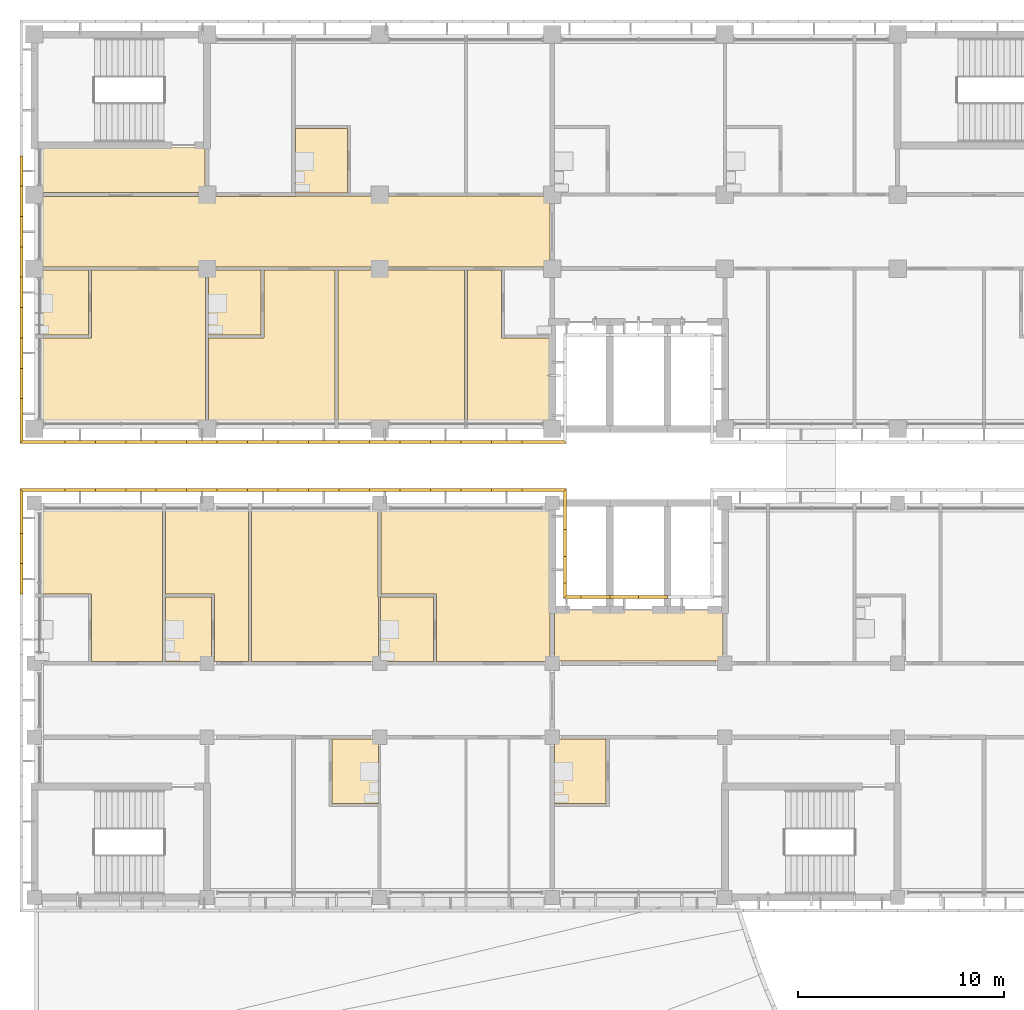
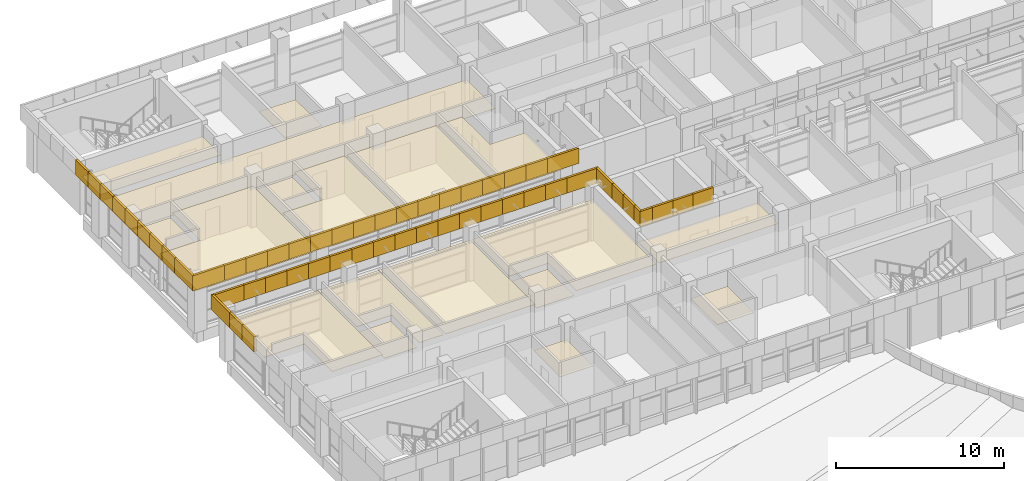
# One storey, part 64 of 74: 72 coverings.
"""IFC4 building model written with IfcOpenShell, lengths in metres."""

import ifcopenshell
import ifcopenshell.guid

model = None  # the IFC model being written
_history = None  # IfcOwnerHistory: only IFC2X3 demands one
_inside = {}  # id of a spatial element -> (the spatial element, [elements in it])
_under = {}  # id of a project, library or spatial element -> (it, [spatial elements below it])
_declared = {}  # id of a project -> (the project, [libraries it declares])
_typed = {}  # id of a type object -> (the type object, [elements of that type])
_made_of = {}  # id of a material, layer set ... -> (it, [elements and type objects made of it])


def new_model(schema):
    """Start an empty IFC model of exactly this schema.

    Asked for "IFC4X3", IfcOpenShell would pick the latest addendum, in which some entities
    have other attributes; the version numbers below select the first issue.
    IFC2X3 requires an IfcOwnerHistory on every rooted entity: one is made here for all.
    """
    global model, _history
    if schema == "IFC4X3":
        model = ifcopenshell.file(schema_version=(4, 3, 0, 0))
    else:
        model = ifcopenshell.file(schema=schema)
    _inside.clear()
    _under.clear()
    _declared.clear()
    _typed.clear()
    _made_of.clear()
    _history = None
    if model.schema == "IFC2X3":
        org = make("IfcOrganization", Name="unknown")
        user = make(
            "IfcPersonAndOrganization",
            ThePerson=make("IfcPerson", FamilyName="unknown"),
            TheOrganization=org,
        )
        app = make(
            "IfcApplication",
            ApplicationDeveloper=org,
            Version="unknown",
            ApplicationFullName="unknown",
            ApplicationIdentifier="unknown",
        )
        _history = make(
            "IfcOwnerHistory",
            OwningUser=user,
            OwningApplication=app,
            ChangeAction="ADDED",
            CreationDate=0,
        )
    return model


def make(cls, **values):
    """One entity of the class cls with the attributes given. An attribute that is None is left unset."""
    return model.create_entity(
        cls, **{name: value for name, value in values.items() if value is not None}
    )


def rooted(cls, **values):
    """An entity with a GlobalId (a new one), such as an element, a storey or a relation."""
    return make(cls, GlobalId=ifcopenshell.guid.new(), OwnerHistory=_history, **values)


def si_unit(unit_type, name, prefix=None):
    """IfcSIUnit, for example si_unit("LENGTHUNIT", "METRE", prefix="MILLI")."""
    return make("IfcSIUnit", UnitType=unit_type, Prefix=prefix, Name=name)


def assignment(units):
    """IfcUnitAssignment: the units of a project."""
    return None if units is None else make("IfcUnitAssignment", Units=units)


def point(xyz):
    """IfcCartesianPoint."""
    return None if xyz is None else make("IfcCartesianPoint", Coordinates=xyz)


def direction(xyz):
    """IfcDirection."""
    return None if xyz is None else make("IfcDirection", DirectionRatios=xyz)


def frame(location, z_axis=None, x_axis=None):
    """IfcAxis2Placement3D, a coordinate frame: its origin and axes. An axis left out is left unset."""
    return make(
        "IfcAxis2Placement3D",
        Location=point(location),
        Axis=direction(z_axis),
        RefDirection=direction(x_axis),
    )


def origin():
    """The frame at (0, 0, 0) with its axes left unset."""
    return frame((0.0, 0.0, 0.0))


def place(relative_to, where):
    """IfcLocalPlacement: puts the frame where relative to a parent placement (None: the world)."""
    return make(
        "IfcLocalPlacement", PlacementRelTo=relative_to, RelativePlacement=where
    )


def context(
    kind, dimensions, precision=None, world=None, true_north=None, identifier=None
):
    """IfcGeometricRepresentationContext, for example the 3D "Model" context."""
    return make(
        "IfcGeometricRepresentationContext",
        ContextIdentifier=identifier,
        ContextType=kind,
        CoordinateSpaceDimension=dimensions,
        Precision=precision,
        WorldCoordinateSystem=world,
        TrueNorth=true_north,
    )


def subcontext(parent, identifier, kind, view, scale=None):
    """IfcGeometricRepresentationSubContext, for example "Body" below "Model"."""
    return make(
        "IfcGeometricRepresentationSubContext",
        ContextIdentifier=identifier,
        ContextType=kind,
        ParentContext=parent,
        TargetScale=scale,
        TargetView=view,
    )


def project(units=None, contexts=None):
    """IfcProject with its units and contexts."""
    return rooted(
        "IfcProject",
        Name="project",
        RepresentationContexts=contexts,
        UnitsInContext=assignment(units),
    )


def spatial(cls, under=None, at=None, **own):
    """A site, building, storey or space (cls), placed at a placement, below another one or the project."""
    s = rooted(cls, ObjectPlacement=at, **own)
    if under is not None:
        _under.setdefault(under.id(), (under, []))[1].append(s)
    return s


def polyline(points):
    """IfcPolyline through the points."""
    return make("IfcPolyline", Points=[point(p) for p in points])


def outline(outer, holes=None, kind="AREA"):
    """IfcArbitraryClosedProfileDef: a profile drawn as a closed curve; with holes, ...WithVoids."""
    if holes is None:
        return make("IfcArbitraryClosedProfileDef", ProfileType=kind, OuterCurve=outer)
    return make(
        "IfcArbitraryProfileDefWithVoids",
        ProfileType=kind,
        OuterCurve=outer,
        InnerCurves=holes,
    )


def extrude(swept, where, along, depth):
    """IfcExtrudedAreaSolid: the profile swept, set in the frame where, extruded along a direction by depth."""
    return make(
        "IfcExtrudedAreaSolid",
        SweptArea=swept,
        Position=where,
        ExtrudedDirection=direction(along),
        Depth=depth,
    )


def shape(context_of_items, identifier, shape_type, items):
    """IfcShapeRepresentation: the items that make up one representation, for example the "Body"."""
    return make(
        "IfcShapeRepresentation",
        ContextOfItems=context_of_items,
        RepresentationIdentifier=identifier,
        RepresentationType=shape_type,
        Items=items,
    )


def material(Name=None, Category=None):
    """IfcMaterial."""
    return make("IfcMaterial", Name=Name, Category=Category)


def layer(
    of_material, thickness, ventilated=None, Name=None, Category=None, Priority=None
):
    """IfcMaterialLayer: one layer of a wall or slab, of a material (None: an air gap)."""
    return make(
        "IfcMaterialLayer",
        Material=of_material,
        LayerThickness=thickness,
        IsVentilated=ventilated,
        Name=Name,
        Category=Category,
        Priority=Priority,
    )


def layer_set(layers, Name=None):
    """IfcMaterialLayerSet."""
    return make("IfcMaterialLayerSet", MaterialLayers=layers, LayerSetName=Name)


def made_of(thing, what):
    """Note that an element or type object is made of a material, layer set ...; save() writes the relation."""
    if what is not None:
        _made_of.setdefault(what.id(), (what, []))[1].append(thing)
    return thing


def type_object(cls, material=None, **own):
    """A type object (cls), such as IfcWallType, which elements share."""
    return made_of(rooted(cls, **own), material)


def element(
    cls,
    number,
    at=None,
    inside=None,
    cuts=None,
    type_object=None,
    material=None,
    context=None,
    identifier="Body",
    shape_type=None,
    held_by="IfcProductDefinitionShape",
    body=None,
    shapes=None,
    **own,
):
    """One element of the class cls, such as IfcWall. Its Tag is "e" and its number.

    at: its placement. inside: the storey or other place that contains it. cuts: it is an
    opening in that element (IfcRelVoidsElement). A single representation is given by context,
    identifier, shape_type and body (its items); several are given by shapes. held_by: the class
    of the entity that holds the representations. save() writes the other relations.
    """
    e = rooted(cls, Tag="e%d" % number, ObjectPlacement=at, **own)
    if body is not None:
        shapes = [shape(context, identifier, shape_type, body)]
    if shapes is not None:
        e.Representation = make(held_by, Representations=shapes)
    if inside is not None:
        _inside.setdefault(inside.id(), (inside, []))[1].append(e)
    if cuts is not None:
        rooted(
            "IfcRelVoidsElement", RelatingBuildingElement=cuts, RelatedOpeningElement=e
        )
    if type_object is not None:
        _typed.setdefault(type_object.id(), (type_object, []))[1].append(e)
    return made_of(e, material)


def aggregate(whole, parts):
    """IfcRelAggregates: a whole, such as a stair, and the parts it consists of."""
    return rooted("IfcRelAggregates", RelatingObject=whole, RelatedObjects=parts)


def save(model, path):
    """Write the relations noted so far, then the file.

    IfcRelAggregates (storeys below a building ...), IfcRelContainedInSpatialStructure (elements
    in a storey), IfcRelDefinesByType, IfcRelAssociatesMaterial and IfcRelDeclares: one each for
    every whole, place, type object, material and project.
    """
    for whole, parts in _under.values():
        aggregate(whole, parts)
    for where, things in _inside.values():
        rooted(
            "IfcRelContainedInSpatialStructure",
            RelatedElements=things,
            RelatingStructure=where,
        )
    for kind, things in _typed.values():
        rooted("IfcRelDefinesByType", RelatedObjects=things, RelatingType=kind)
    for what, things in _made_of.values():
        rooted("IfcRelAssociatesMaterial", RelatedObjects=things, RelatingMaterial=what)
    for by, libraries in _declared.values():
        rooted("IfcRelDeclares", RelatingContext=by, RelatedDefinitions=libraries)
    model.write(path)


model = new_model("IFC4")

# Units and contexts
model_context = context("Model", 3, precision=1e-05, world=origin(), true_north=direction((0.0, 1.0)))
body_context = subcontext(model_context, "Body", "Model", "MODEL_VIEW")
ifc_project = project(units=[si_unit("LENGTHUNIT", "METRE"), si_unit("AREAUNIT", "SQUARE_METRE"), si_unit("VOLUMEUNIT", "CUBIC_METRE"), si_unit("PLANEANGLEUNIT", "RADIAN"), si_unit("MASSUNIT", "GRAM", prefix="KILO")], contexts=[model_context])

# Site, building, storey
site_placement = place(None, origin())
site = spatial("IfcSite", under=ifc_project, at=site_placement, CompositionType="ELEMENT")
building_placement = place(site_placement, origin())
building = spatial("IfcBuilding", under=site, at=building_placement, Name="Bougainvillea Quay General Hospital", CompositionType="ELEMENT")
storey_placement = place(building_placement, frame((0.0, 0.0, 21.0)))
storey = spatial("IfcBuildingStorey", under=building, at=storey_placement, Name="L04", CompositionType="ELEMENT", Elevation=21.0)

# Coverings
ifc_material_1 = material(Name="Powder-coated aluminium fascia, white", Category="aluminium")
ifc_layer_1 = layer(ifc_material_1, 0.14990234375)
ifc_layer_set_1 = layer_set([ifc_layer_1], Name="Powder-coated aluminium fascia, white")
covering_type_1 = type_object("IfcCoveringType", Name="Aluminium fascia band white 150x1100", PredefinedType="CLADDING", material=ifc_layer_set_1)
covering_1_placement = place(storey_placement, frame((41.449951171875, 153.6923828125, 3.35009765625), z_axis=(0.0, 0.0, 1.0), x_axis=(0.0, -1.0, 0.0)))
element("IfcCovering", 1, at=covering_1_placement, inside=storey, type_object=covering_type_1, Name="Fascia band white e0 101", PredefinedType="CLADDING", context=body_context, shape_type="SweptSolid", body=[
    extrude(outline(polyline([(0.0, 0.0), (1.47705078125, 0.0), (1.47705078125, -0.14990234375), (0.0, -0.14990234375), (0.0, 0.0)])), origin(), (0.0, 0.0, 1.0), 1.10009765625),
])
covering_2_placement = place(storey_placement, frame((41.449951171875, 152.21533203125, 3.35009765625), z_axis=(0.0, 0.0, 1.0), x_axis=(0.0, -1.0, 0.0)))
element("IfcCovering", 2, at=covering_2_placement, inside=storey, type_object=covering_type_1, Name="Fascia band white e0 102", PredefinedType="CLADDING", context=body_context, shape_type="SweptSolid", body=[
    extrude(outline(polyline([(0.0, 0.0), (1.476806640625, 0.0), (1.476806640625, -0.14990234375), (0.0, -0.14990234375), (0.0, 0.0)])), origin(), (0.0, 0.0, 1.0), 1.10009765625),
])
covering_3_placement = place(storey_placement, frame((41.449951171875, 150.738525390625, 3.35009765625), z_axis=(0.0, 0.0, 1.0), x_axis=(0.0, -1.0, 0.0)))
element("IfcCovering", 3, at=covering_3_placement, inside=storey, type_object=covering_type_1, Name="Fascia band white e0 103", PredefinedType="CLADDING", context=body_context, shape_type="SweptSolid", body=[
    extrude(outline(polyline([(0.0, 0.0), (1.47705078125, 0.0), (1.47705078125, -0.14990234375), (0.0, -0.14990234375), (0.0, 0.0)])), origin(), (0.0, 0.0, 1.0), 1.10009765625),
])
covering_4_placement = place(storey_placement, frame((41.449951171875, 149.261474609375, 3.35009765625), z_axis=(0.0, 0.0, 1.0), x_axis=(0.0, -1.0, 0.0)))
element("IfcCovering", 4, at=covering_4_placement, inside=storey, type_object=covering_type_1, Name="Fascia band white e0 104", PredefinedType="CLADDING", context=body_context, shape_type="SweptSolid", body=[
    extrude(outline(polyline([(0.0, 0.0), (1.476806640625, 0.0), (1.476806640625, -0.14990234375), (0.0, -0.14990234375), (0.0, 0.0)])), origin(), (0.0, 0.0, 1.0), 1.10009765625),
])
covering_5_placement = place(storey_placement, frame((41.449951171875, 147.78466796875, 3.35009765625), z_axis=(0.0, 0.0, 1.0), x_axis=(0.0, -1.0, 0.0)))
element("IfcCovering", 5, at=covering_5_placement, inside=storey, type_object=covering_type_1, Name="Fascia band white e0 105", PredefinedType="CLADDING", context=body_context, shape_type="SweptSolid", body=[
    extrude(outline(polyline([(0.0, 0.0), (1.47705078125, 0.0), (1.47705078125, -0.14990234375), (0.0, -0.14990234375), (0.0, 0.0)])), origin(), (0.0, 0.0, 1.0), 1.10009765625),
])
covering_6_placement = place(storey_placement, frame((41.449951171875, 146.3076171875, 3.35009765625), z_axis=(0.0, 0.0, 1.0), x_axis=(0.0, -1.0, 0.0)))
element("IfcCovering", 6, at=covering_6_placement, inside=storey, type_object=covering_type_1, Name="Fascia band white e0 106", PredefinedType="CLADDING", context=body_context, shape_type="SweptSolid", body=[
    extrude(outline(polyline([(0.0, 0.0), (1.476806640625, 0.0), (1.476806640625, -0.14990234375), (0.0, -0.14990234375), (0.0, 0.0)])), origin(), (0.0, 0.0, 1.0), 1.10009765625),
])
covering_7_placement = place(storey_placement, frame((41.449951171875, 144.830810546875, 3.35009765625), z_axis=(0.0, 0.0, 1.0), x_axis=(0.0, -1.0, 0.0)))
element("IfcCovering", 7, at=covering_7_placement, inside=storey, type_object=covering_type_1, Name="Fascia band white e0 107", PredefinedType="CLADDING", context=body_context, shape_type="SweptSolid", body=[
    extrude(outline(polyline([(0.0, 0.0), (1.47705078125, 0.0), (1.47705078125, -0.14990234375), (0.0, -0.14990234375), (0.0, 0.0)])), origin(), (0.0, 0.0, 1.0), 1.10009765625),
])
covering_8_placement = place(storey_placement, frame((41.449951171875, 143.353759765625, 3.35009765625), z_axis=(0.0, 0.0, 1.0), x_axis=(0.0, -1.0, 0.0)))
element("IfcCovering", 8, at=covering_8_placement, inside=storey, type_object=covering_type_1, Name="Fascia band white e0 108", PredefinedType="CLADDING", context=body_context, shape_type="SweptSolid", body=[
    extrude(outline(polyline([(0.0, 0.0), (1.476806640625, 0.0), (1.476806640625, -0.14990234375), (0.0, -0.14990234375), (0.0, 0.0)])), origin(), (0.0, 0.0, 1.0), 1.10009765625),
])
covering_9_placement = place(storey_placement, frame((41.449951171875, 141.876953125, 3.35009765625), z_axis=(0.0, 0.0, 1.0), x_axis=(0.0, -1.0, 0.0)))
element("IfcCovering", 9, at=covering_9_placement, inside=storey, type_object=covering_type_1, Name="Fascia band white e0 109", PredefinedType="CLADDING", context=body_context, shape_type="SweptSolid", body=[
    extrude(outline(polyline([(0.0, 0.0), (2.02685546875, 0.0), (2.177001953125, -0.14990234375), (0.0, -0.14990234375), (0.0, 0.0)])), origin(), (0.0, 0.0, 1.0), 1.10009765625),
])
covering_10_placement = place(storey_placement, frame((41.449951171875, 139.85009765625, 3.35009765625), z_axis=(0.0, 0.0, 1.0), x_axis=(1.0, 0.0, 0.0)))
element("IfcCovering", 10, at=covering_10_placement, inside=storey, type_object=covering_type_1, Name="Fascia band white e0 110", PredefinedType="CLADDING", context=body_context, shape_type="SweptSolid", body=[
    extrude(outline(polyline([(0.0, 0.0), (2.032470703125, 0.0), (2.032470703125, -0.150146484375), (-0.14990234375, -0.150146484375), (0.0, 0.0)])), origin(), (0.0, 0.0, 1.0), 1.10009765625),
])
covering_11_placement = place(storey_placement, frame((43.482421875, 139.85009765625, 3.35009765625), z_axis=(0.0, 0.0, 1.0), x_axis=(1.0, 0.0, 0.0)))
element("IfcCovering", 11, at=covering_11_placement, inside=storey, type_object=covering_type_1, Name="Fascia band white e0 111", PredefinedType="CLADDING", context=body_context, shape_type="SweptSolid", body=[
    extrude(outline(polyline([(0.0, 0.0), (1.482177734375, 0.0), (1.482177734375, -0.150146484375), (0.0, -0.150146484375), (0.0, 0.0)])), origin(), (0.0, 0.0, 1.0), 1.10009765625),
])
for number, where, z_axis, x_axis, name in (
    (12, (44.964599609375, 139.85009765625, 3.35009765625), (0.0, 0.0, 1.0), (1.0, 0.0, 0.0), "Fascia band white e0 112"),
    (13, (46.447021484375, 139.85009765625, 3.35009765625), (0.0, 0.0, 1.0), (1.0, 0.0, 0.0), "Fascia band white e0 113"),
    (14, (47.929443359375, 139.85009765625, 3.35009765625), (0.0, 0.0, 1.0), (1.0, 0.0, 0.0), "Fascia band white e0 114"),
):
    element("IfcCovering", number, at=place(storey_placement, frame(where, z_axis=z_axis, x_axis=x_axis)), inside=storey, type_object=covering_type_1, Name=name, PredefinedType="CLADDING", context=body_context, shape_type="SweptSolid", body=[
        extrude(outline(polyline([(0.0, 0.0), (1.482421875, 0.0), (1.482421875, -0.150146484375), (0.0, -0.150146484375), (0.0, 0.0)])), origin(), (0.0, 0.0, 1.0), 1.10009765625),
    ])
covering_12_placement = place(storey_placement, frame((49.411865234375, 139.85009765625, 3.35009765625), z_axis=(0.0, 0.0, 1.0), x_axis=(1.0, 0.0, 0.0)))
element("IfcCovering", 15, at=covering_12_placement, inside=storey, type_object=covering_type_1, Name="Fascia band white e0 115", PredefinedType="CLADDING", context=body_context, shape_type="SweptSolid", body=[
    extrude(outline(polyline([(0.0, 0.0), (1.482177734375, 0.0), (1.482177734375, -0.150146484375), (0.0, -0.150146484375), (0.0, 0.0)])), origin(), (0.0, 0.0, 1.0), 1.10009765625),
])
for number, where, z_axis, x_axis, name in (
    (16, (50.89404296875, 139.85009765625, 3.35009765625), (0.0, 0.0, 1.0), (1.0, 0.0, 0.0), "Fascia band white e0 116"),
    (17, (52.37646484375, 139.85009765625, 3.35009765625), (0.0, 0.0, 1.0), (1.0, 0.0, 0.0), "Fascia band white e0 117"),
):
    element("IfcCovering", number, at=place(storey_placement, frame(where, z_axis=z_axis, x_axis=x_axis)), inside=storey, type_object=covering_type_1, Name=name, PredefinedType="CLADDING", context=body_context, shape_type="SweptSolid", body=[
        extrude(outline(polyline([(0.0, 0.0), (1.482421875, 0.0), (1.482421875, -0.150146484375), (0.0, -0.150146484375), (0.0, 0.0)])), origin(), (0.0, 0.0, 1.0), 1.10009765625),
    ])
covering_13_placement = place(storey_placement, frame((53.85888671875, 139.85009765625, 3.35009765625), z_axis=(0.0, 0.0, 1.0), x_axis=(1.0, 0.0, 0.0)))
element("IfcCovering", 18, at=covering_13_placement, inside=storey, type_object=covering_type_1, Name="Fascia band white e0 118", PredefinedType="CLADDING", context=body_context, shape_type="SweptSolid", body=[
    extrude(outline(polyline([(0.0, 0.0), (1.482177734375, 0.0), (1.482177734375, -0.150146484375), (0.0, -0.150146484375), (0.0, 0.0)])), origin(), (0.0, 0.0, 1.0), 1.10009765625),
])
for number, where, z_axis, x_axis, name in (
    (19, (55.341064453125, 139.85009765625, 3.35009765625), (0.0, 0.0, 1.0), (1.0, 0.0, 0.0), "Fascia band white e0 119"),
    (20, (56.823486328125, 139.85009765625, 3.35009765625), (0.0, 0.0, 1.0), (1.0, 0.0, 0.0), "Fascia band white e0 120"),
    (21, (58.305908203125, 139.85009765625, 3.35009765625), (0.0, 0.0, 1.0), (1.0, 0.0, 0.0), "Fascia band white e0 121"),
):
    element("IfcCovering", number, at=place(storey_placement, frame(where, z_axis=z_axis, x_axis=x_axis)), inside=storey, type_object=covering_type_1, Name=name, PredefinedType="CLADDING", context=body_context, shape_type="SweptSolid", body=[
        extrude(outline(polyline([(0.0, 0.0), (1.482421875, 0.0), (1.482421875, -0.150146484375), (0.0, -0.150146484375), (0.0, 0.0)])), origin(), (0.0, 0.0, 1.0), 1.10009765625),
    ])
covering_14_placement = place(storey_placement, frame((59.788330078125, 139.85009765625, 3.35009765625), z_axis=(0.0, 0.0, 1.0), x_axis=(1.0, 0.0, 0.0)))
element("IfcCovering", 22, at=covering_14_placement, inside=storey, type_object=covering_type_1, Name="Fascia band white e0 122", PredefinedType="CLADDING", context=body_context, shape_type="SweptSolid", body=[
    extrude(outline(polyline([(0.0, 0.0), (1.482177734375, 0.0), (1.482177734375, -0.150146484375), (0.0, -0.150146484375), (0.0, 0.0)])), origin(), (0.0, 0.0, 1.0), 1.10009765625),
])
for number, where, z_axis, x_axis, name in (
    (23, (61.2705078125, 139.85009765625, 3.35009765625), (0.0, 0.0, 1.0), (1.0, 0.0, 0.0), "Fascia band white e0 123"),
    (24, (62.7529296875, 139.85009765625, 3.35009765625), (0.0, 0.0, 1.0), (1.0, 0.0, 0.0), "Fascia band white e0 124"),
):
    element("IfcCovering", number, at=place(storey_placement, frame(where, z_axis=z_axis, x_axis=x_axis)), inside=storey, type_object=covering_type_1, Name=name, PredefinedType="CLADDING", context=body_context, shape_type="SweptSolid", body=[
        extrude(outline(polyline([(0.0, 0.0), (1.482421875, 0.0), (1.482421875, -0.150146484375), (0.0, -0.150146484375), (0.0, 0.0)])), origin(), (0.0, 0.0, 1.0), 1.10009765625),
    ])
covering_15_placement = place(storey_placement, frame((64.2353515625, 139.85009765625, 3.35009765625), z_axis=(0.0, 0.0, 1.0), x_axis=(1.0, 0.0, 0.0)))
element("IfcCovering", 25, at=covering_15_placement, inside=storey, type_object=covering_type_1, Name="Fascia band white e0 125", PredefinedType="CLADDING", context=body_context, shape_type="SweptSolid", body=[
    extrude(outline(polyline([(0.0, 0.0), (1.482177734375, 0.0), (1.482177734375, -0.150146484375), (0.0, -0.150146484375), (0.0, 0.0)])), origin(), (0.0, 0.0, 1.0), 1.10009765625),
])
covering_16_placement = place(storey_placement, frame((65.717529296875, 139.85009765625, 3.35009765625), z_axis=(0.0, 0.0, 1.0), x_axis=(1.0, 0.0, 0.0)))
element("IfcCovering", 26, at=covering_16_placement, inside=storey, type_object=covering_type_1, Name="Fascia band white e0 126", PredefinedType="CLADDING", context=body_context, shape_type="SweptSolid", body=[
    extrude(outline(polyline([(0.0, 0.0), (2.032470703125, 0.0), (2.182373046875, -0.150146484375), (0.0, -0.150146484375), (0.0, 0.0)])), origin(), (0.0, 0.0, 1.0), 1.10009765625),
])
covering_17_placement = place(storey_placement, frame((41.449951171875, 137.35009765625, 3.35009765625), z_axis=(0.0, 0.0, 1.0), x_axis=(0.0, -1.0, 0.0)))
element("IfcCovering", 27, at=covering_17_placement, inside=storey, type_object=covering_type_1, Name="Fascia band white e0 1", PredefinedType="CLADDING", context=body_context, shape_type="SweptSolid", body=[
    extrude(outline(polyline([(0.0, 0.0), (2.027099609375, 0.0), (2.027099609375, -0.14990234375), (-0.14990234375, -0.14990234375), (0.0, 0.0)])), origin(), (0.0, 0.0, 1.0), 1.10009765625),
])
covering_18_placement = place(storey_placement, frame((41.449951171875, 135.322998046875, 3.35009765625), z_axis=(0.0, 0.0, 1.0), x_axis=(0.0, -1.0, 0.0)))
element("IfcCovering", 28, at=covering_18_placement, inside=storey, type_object=covering_type_1, Name="Fascia band white e0 2", PredefinedType="CLADDING", context=body_context, shape_type="SweptSolid", body=[
    extrude(outline(polyline([(0.0, 0.0), (1.476806640625, 0.0), (1.476806640625, -0.14990234375), (0.0, -0.14990234375), (0.0, 0.0)])), origin(), (0.0, 0.0, 1.0), 1.10009765625),
])
covering_19_placement = place(storey_placement, frame((41.449951171875, 133.84619140625, 3.35009765625), z_axis=(0.0, 0.0, 1.0), x_axis=(0.0, -1.0, 0.0)))
element("IfcCovering", 29, at=covering_19_placement, inside=storey, type_object=covering_type_1, Name="Fascia band white e0 3", PredefinedType="CLADDING", context=body_context, shape_type="SweptSolid", body=[
    extrude(outline(polyline([(0.0, 0.0), (1.47705078125, 0.0), (1.47705078125, -0.14990234375), (0.0, -0.14990234375), (0.0, 0.0)])), origin(), (0.0, 0.0, 1.0), 1.10009765625),
])
covering_20_placement = place(storey_placement, frame((72.800048828125, 132.14990234375, 3.35009765625), z_axis=(0.0, 0.0, 1.0), x_axis=(-1.0, 0.0, 0.0)))
element("IfcCovering", 30, at=covering_20_placement, inside=storey, type_object=covering_type_1, Name="Fascia band white e0 188", PredefinedType="CLADDING", context=body_context, shape_type="SweptSolid", body=[
    extrude(outline(polyline([(0.0, 0.0), (1.400146484375, 0.0), (1.400146484375, -0.150146484375), (0.0, -0.150146484375), (0.0, 0.0)])), origin(), (0.0, 0.0, 1.0), 1.10009765625),
])
for number, where, z_axis, x_axis, name in (
    (31, (71.39990234375, 132.14990234375, 3.35009765625), (0.0, 0.0, 1.0), (-1.0, 0.0, 0.0), "Fascia band white e0 189"),
    (32, (70.0, 132.14990234375, 3.35009765625), (0.0, 0.0, 1.0), (-1.0, 0.0, 0.0), "Fascia band white e0 190"),
):
    element("IfcCovering", number, at=place(storey_placement, frame(where, z_axis=z_axis, x_axis=x_axis)), inside=storey, type_object=covering_type_1, Name=name, PredefinedType="CLADDING", context=body_context, shape_type="SweptSolid", body=[
        extrude(outline(polyline([(0.0, 0.0), (1.39990234375, 0.0), (1.39990234375, -0.150146484375), (0.0, -0.150146484375), (0.0, 0.0)])), origin(), (0.0, 0.0, 1.0), 1.10009765625),
    ])
covering_21_placement = place(storey_placement, frame((68.60009765625, 132.14990234375, 3.35009765625), z_axis=(0.0, 0.0, 1.0), x_axis=(-1.0, 0.0, 0.0)))
element("IfcCovering", 33, at=covering_21_placement, inside=storey, type_object=covering_type_1, Name="Fascia band white e0 191", PredefinedType="CLADDING", context=body_context, shape_type="SweptSolid", body=[
    extrude(outline(polyline([(0.0, 0.0), (0.85009765625, 0.0), (0.7001953125, -0.150146484375), (0.0, -0.150146484375), (0.0, 0.0)])), origin(), (0.0, 0.0, 1.0), 1.10009765625),
])
covering_22_placement = place(storey_placement, frame((67.75, 132.14990234375, 3.35009765625), z_axis=(0.0, 0.0, 1.0), x_axis=(0.0, 1.0, 0.0)))
element("IfcCovering", 34, at=covering_22_placement, inside=storey, type_object=covering_type_1, Name="Fascia band white e0 192", PredefinedType="CLADDING", context=body_context, shape_type="SweptSolid", body=[
    extrude(outline(polyline([(0.0, 0.0), (0.75, 0.0), (0.75, -0.14990234375), (0.150146484375, -0.14990234375), (0.0, 0.0)])), origin(), (0.0, 0.0, 1.0), 1.10009765625),
])
for number, where, z_axis, x_axis, name in (
    (35, (67.75, 132.89990234375, 3.35009765625), (0.0, 0.0, 1.0), (0.0, 1.0, 0.0), "Fascia band white e0 193"),
    (36, (67.75, 134.199951171875, 3.35009765625), (0.0, 0.0, 1.0), (0.0, 1.0, 0.0), "Fascia band white e0 194"),
):
    element("IfcCovering", number, at=place(storey_placement, frame(where, z_axis=z_axis, x_axis=x_axis)), inside=storey, type_object=covering_type_1, Name=name, PredefinedType="CLADDING", context=body_context, shape_type="SweptSolid", body=[
        extrude(outline(polyline([(0.0, 0.0), (1.300048828125, 0.0), (1.300048828125, -0.14990234375), (0.0, -0.14990234375), (0.0, 0.0)])), origin(), (0.0, 0.0, 1.0), 1.10009765625),
    ])
covering_23_placement = place(storey_placement, frame((67.75, 135.5, 3.35009765625), z_axis=(0.0, 0.0, 1.0), x_axis=(0.0, 1.0, 0.0)))
element("IfcCovering", 37, at=covering_23_placement, inside=storey, type_object=covering_type_1, Name="Fascia band white e0 195", PredefinedType="CLADDING", context=body_context, shape_type="SweptSolid", body=[
    extrude(outline(polyline([(0.0, 0.0), (1.85009765625, 0.0), (2.0, -0.14990234375), (0.0, -0.14990234375), (0.0, 0.0)])), origin(), (0.0, 0.0, 1.0), 1.10009765625),
])
covering_24_placement = place(storey_placement, frame((67.75, 137.35009765625, 3.35009765625), z_axis=(0.0, 0.0, 1.0), x_axis=(-1.0, 0.0, 0.0)))
element("IfcCovering", 38, at=covering_24_placement, inside=storey, type_object=covering_type_1, Name="Fascia band white e0 196", PredefinedType="CLADDING", context=body_context, shape_type="SweptSolid", body=[
    extrude(outline(polyline([(0.0, 0.0), (2.032470703125, 0.0), (2.032470703125, -0.14990234375), (-0.14990234375, -0.14990234375), (0.0, 0.0)])), origin(), (0.0, 0.0, 1.0), 1.10009765625),
])
covering_25_placement = place(storey_placement, frame((65.717529296875, 137.35009765625, 3.35009765625), z_axis=(0.0, 0.0, 1.0), x_axis=(-1.0, 0.0, 0.0)))
element("IfcCovering", 39, at=covering_25_placement, inside=storey, type_object=covering_type_1, Name="Fascia band white e0 197", PredefinedType="CLADDING", context=body_context, shape_type="SweptSolid", body=[
    extrude(outline(polyline([(0.0, 0.0), (1.482177734375, 0.0), (1.482177734375, -0.14990234375), (0.0, -0.14990234375), (0.0, 0.0)])), origin(), (0.0, 0.0, 1.0), 1.10009765625),
])
for number, where, z_axis, x_axis, name in (
    (40, (64.2353515625, 137.35009765625, 3.35009765625), (0.0, 0.0, 1.0), (-1.0, 0.0, 0.0), "Fascia band white e0 198"),
    (41, (62.7529296875, 137.35009765625, 3.35009765625), (0.0, 0.0, 1.0), (-1.0, 0.0, 0.0), "Fascia band white e0 199"),
):
    element("IfcCovering", number, at=place(storey_placement, frame(where, z_axis=z_axis, x_axis=x_axis)), inside=storey, type_object=covering_type_1, Name=name, PredefinedType="CLADDING", context=body_context, shape_type="SweptSolid", body=[
        extrude(outline(polyline([(0.0, 0.0), (1.482421875, 0.0), (1.482421875, -0.14990234375), (0.0, -0.14990234375), (0.0, 0.0)])), origin(), (0.0, 0.0, 1.0), 1.10009765625),
    ])
covering_26_placement = place(storey_placement, frame((61.2705078125, 137.35009765625, 3.35009765625), z_axis=(0.0, 0.0, 1.0), x_axis=(-1.0, 0.0, 0.0)))
element("IfcCovering", 42, at=covering_26_placement, inside=storey, type_object=covering_type_1, Name="Fascia band white e0 200", PredefinedType="CLADDING", context=body_context, shape_type="SweptSolid", body=[
    extrude(outline(polyline([(0.0, 0.0), (1.482177734375, 0.0), (1.482177734375, -0.14990234375), (0.0, -0.14990234375), (0.0, 0.0)])), origin(), (0.0, 0.0, 1.0), 1.10009765625),
])
for number, where, z_axis, x_axis, name in (
    (43, (59.788330078125, 137.35009765625, 3.35009765625), (0.0, 0.0, 1.0), (-1.0, 0.0, 0.0), "Fascia band white e0 201"),
    (44, (58.305908203125, 137.35009765625, 3.35009765625), (0.0, 0.0, 1.0), (-1.0, 0.0, 0.0), "Fascia band white e0 202"),
    (45, (56.823486328125, 137.35009765625, 3.35009765625), (0.0, 0.0, 1.0), (-1.0, 0.0, 0.0), "Fascia band white e0 203"),
):
    element("IfcCovering", number, at=place(storey_placement, frame(where, z_axis=z_axis, x_axis=x_axis)), inside=storey, type_object=covering_type_1, Name=name, PredefinedType="CLADDING", context=body_context, shape_type="SweptSolid", body=[
        extrude(outline(polyline([(0.0, 0.0), (1.482421875, 0.0), (1.482421875, -0.14990234375), (0.0, -0.14990234375), (0.0, 0.0)])), origin(), (0.0, 0.0, 1.0), 1.10009765625),
    ])
covering_27_placement = place(storey_placement, frame((55.341064453125, 137.35009765625, 3.35009765625), z_axis=(0.0, 0.0, 1.0), x_axis=(-1.0, 0.0, 0.0)))
element("IfcCovering", 46, at=covering_27_placement, inside=storey, type_object=covering_type_1, Name="Fascia band white e0 204", PredefinedType="CLADDING", context=body_context, shape_type="SweptSolid", body=[
    extrude(outline(polyline([(0.0, 0.0), (1.482177734375, 0.0), (1.482177734375, -0.14990234375), (0.0, -0.14990234375), (0.0, 0.0)])), origin(), (0.0, 0.0, 1.0), 1.10009765625),
])
for number, where, z_axis, x_axis, name in (
    (47, (53.85888671875, 137.35009765625, 3.35009765625), (0.0, 0.0, 1.0), (-1.0, 0.0, 0.0), "Fascia band white e0 205"),
    (48, (52.37646484375, 137.35009765625, 3.35009765625), (0.0, 0.0, 1.0), (-1.0, 0.0, 0.0), "Fascia band white e0 206"),
):
    element("IfcCovering", number, at=place(storey_placement, frame(where, z_axis=z_axis, x_axis=x_axis)), inside=storey, type_object=covering_type_1, Name=name, PredefinedType="CLADDING", context=body_context, shape_type="SweptSolid", body=[
        extrude(outline(polyline([(0.0, 0.0), (1.482421875, 0.0), (1.482421875, -0.14990234375), (0.0, -0.14990234375), (0.0, 0.0)])), origin(), (0.0, 0.0, 1.0), 1.10009765625),
    ])
covering_28_placement = place(storey_placement, frame((50.89404296875, 137.35009765625, 3.35009765625), z_axis=(0.0, 0.0, 1.0), x_axis=(-1.0, 0.0, 0.0)))
element("IfcCovering", 49, at=covering_28_placement, inside=storey, type_object=covering_type_1, Name="Fascia band white e0 207", PredefinedType="CLADDING", context=body_context, shape_type="SweptSolid", body=[
    extrude(outline(polyline([(0.0, 0.0), (1.482177734375, 0.0), (1.482177734375, -0.14990234375), (0.0, -0.14990234375), (0.0, 0.0)])), origin(), (0.0, 0.0, 1.0), 1.10009765625),
])
for number, where, z_axis, x_axis, name in (
    (50, (49.411865234375, 137.35009765625, 3.35009765625), (0.0, 0.0, 1.0), (-1.0, 0.0, 0.0), "Fascia band white e0 208"),
    (51, (47.929443359375, 137.35009765625, 3.35009765625), (0.0, 0.0, 1.0), (-1.0, 0.0, 0.0), "Fascia band white e0 209"),
    (52, (46.447021484375, 137.35009765625, 3.35009765625), (0.0, 0.0, 1.0), (-1.0, 0.0, 0.0), "Fascia band white e0 210"),
):
    element("IfcCovering", number, at=place(storey_placement, frame(where, z_axis=z_axis, x_axis=x_axis)), inside=storey, type_object=covering_type_1, Name=name, PredefinedType="CLADDING", context=body_context, shape_type="SweptSolid", body=[
        extrude(outline(polyline([(0.0, 0.0), (1.482421875, 0.0), (1.482421875, -0.14990234375), (0.0, -0.14990234375), (0.0, 0.0)])), origin(), (0.0, 0.0, 1.0), 1.10009765625),
    ])
covering_29_placement = place(storey_placement, frame((44.964599609375, 137.35009765625, 3.35009765625), z_axis=(0.0, 0.0, 1.0), x_axis=(-1.0, 0.0, 0.0)))
element("IfcCovering", 53, at=covering_29_placement, inside=storey, type_object=covering_type_1, Name="Fascia band white e0 211", PredefinedType="CLADDING", context=body_context, shape_type="SweptSolid", body=[
    extrude(outline(polyline([(0.0, 0.0), (1.482177734375, 0.0), (1.482177734375, -0.14990234375), (0.0, -0.14990234375), (0.0, 0.0)])), origin(), (0.0, 0.0, 1.0), 1.10009765625),
])
covering_30_placement = place(storey_placement, frame((43.482421875, 137.35009765625, 3.35009765625), z_axis=(0.0, 0.0, 1.0), x_axis=(-1.0, 0.0, 0.0)))
element("IfcCovering", 54, at=covering_30_placement, inside=storey, type_object=covering_type_1, Name="Fascia band white e0 212", PredefinedType="CLADDING", context=body_context, shape_type="SweptSolid", body=[
    extrude(outline(polyline([(0.0, 0.0), (2.032470703125, 0.0), (2.182373046875, -0.14990234375), (0.0, -0.14990234375), (0.0, 0.0)])), origin(), (0.0, 0.0, 1.0), 1.10009765625),
])
ifc_material_2 = material(Name="Mineral fibre ceiling tile")
ifc_layer_2 = layer(ifc_material_2, 0.030029296875)
ifc_layer_set_2 = layer_set([ifc_layer_2], Name="Mineral fibre ceiling tile")
covering_type_2 = type_object("IfcCoveringType", Name="Suspended ceiling mineral fibre tile", PredefinedType="CEILING", material=ifc_layer_set_2)
covering_31_placement = place(storey_placement, frame((0.0, 0.0, 2.699951171875)))
element("IfcCovering", 55, at=covering_31_placement, inside=storey, type_object=covering_type_2, Name="Ceiling Lift Lobby LB-B1 (Fire-fighting)", PredefinedType="CEILING", context=body_context, shape_type="SweptSolid", body=[
    extrude(outline(polyline([(67.300048828125, 131.60009765625), (67.300048828125, 129.10009765625), (75.5, 129.10009765625), (75.5, 131.60009765625), (67.300048828125, 131.60009765625)])), origin(), (0.0, 0.0, 1.0), 0.030029296875),
])
covering_32_placement = place(storey_placement, frame((0.0, 0.0, 2.699951171875)))
element("IfcCovering", 56, at=covering_32_placement, inside=storey, type_object=covering_type_2, Name="Ceiling Smoke-proof Vestibule ST-A1", PredefinedType="CEILING", context=body_context, shape_type="SweptSolid", body=[
    extrude(outline(polyline([(42.0, 151.89990234375), (50.300048828125, 151.89990234375), (50.300048828125, 154.10009765625), (42.0, 154.10009765625), (42.0, 151.89990234375)])), origin(), (0.0, 0.0, 1.0), 0.030029296875),
])
covering_33_placement = place(storey_placement, frame((0.0, 0.0, 2.699951171875)))
element("IfcCovering", 57, at=covering_33_placement, inside=storey, type_object=covering_type_2, Name="Ceiling Surgical Ward Room 04A01", PredefinedType="CEILING", context=body_context, shape_type="SweptSolid", body=[
    extrude(outline(polyline([(50.324951171875, 140.39990234375), (50.324951171875, 148.125), (44.77490234375, 148.125), (44.77490234375, 144.824951171875), (42.0, 144.824951171875), (42.0, 140.39990234375), (50.324951171875, 140.39990234375)])), origin(), (0.0, 0.0, 1.0), 0.030029296875),
])
covering_34_placement = place(storey_placement, frame((0.0, 0.0, 2.39990234375)))
element("IfcCovering", 58, at=covering_34_placement, inside=storey, type_object=covering_type_2, Name="Ceiling En-suite 04A01", PredefinedType="CEILING", context=body_context, shape_type="SweptSolid", body=[
    extrude(outline(polyline([(42.0, 144.97509765625), (44.625, 144.97509765625), (44.625, 148.125), (42.0, 148.125), (42.0, 144.97509765625)])), origin(), (0.0, 0.0, 1.0), 0.030029296875),
])
covering_35_placement = place(storey_placement, frame((0.0, 0.0, 2.699951171875)))
element("IfcCovering", 59, at=covering_35_placement, inside=storey, type_object=covering_type_2, Name="Ceiling Two-bed Surgical Room 04A02", PredefinedType="CEILING", context=body_context, shape_type="SweptSolid", body=[
    extrude(outline(polyline([(56.625, 140.39990234375), (56.625, 148.125), (53.175048828125, 148.125), (53.175048828125, 144.824951171875), (50.47509765625, 144.824951171875), (50.47509765625, 140.39990234375), (56.625, 140.39990234375)])), origin(), (0.0, 0.0, 1.0), 0.030029296875),
])
covering_36_placement = place(storey_placement, frame((0.0, 0.0, 2.39990234375)))
element("IfcCovering", 60, at=covering_36_placement, inside=storey, type_object=covering_type_2, Name="Ceiling En-suite 04A02", PredefinedType="CEILING", context=body_context, shape_type="SweptSolid", body=[
    extrude(outline(polyline([(53.02490234375, 148.125), (50.47509765625, 148.125), (50.47509765625, 144.97509765625), (53.02490234375, 144.97509765625), (53.02490234375, 148.125)])), origin(), (0.0, 0.0, 1.0), 0.030029296875),
])
covering_37_placement = place(storey_placement, frame((0.0, 0.0, 2.699951171875)))
element("IfcCovering", 61, at=covering_37_placement, inside=storey, type_object=covering_type_2, Name="Ceiling Nurses' Station 04A03", PredefinedType="CEILING", context=body_context, shape_type="SweptSolid", body=[
    extrude(outline(polyline([(62.925048828125, 140.39990234375), (62.925048828125, 148.125), (56.77490234375, 148.125), (56.77490234375, 140.39990234375), (62.925048828125, 140.39990234375)])), origin(), (0.0, 0.0, 1.0), 0.030029296875),
])
covering_38_placement = place(storey_placement, frame((0.0, 0.0, 2.699951171875)))
element("IfcCovering", 62, at=covering_38_placement, inside=storey, type_object=covering_type_2, Name="Ceiling Post-operative Patient Room 04A04", PredefinedType="CEILING", context=body_context, shape_type="SweptSolid", body=[
    extrude(outline(polyline([(67.199951171875, 140.39990234375), (67.199951171875, 144.824951171875), (64.72509765625, 144.824951171875), (64.72509765625, 148.125), (63.074951171875, 148.125), (63.074951171875, 140.39990234375), (67.199951171875, 140.39990234375)])), origin(), (0.0, 0.0, 1.0), 0.030029296875),
])
covering_39_placement = place(storey_placement, frame((0.0, 0.0, 2.39990234375)))
element("IfcCovering", 63, at=covering_39_placement, inside=storey, type_object=covering_type_2, Name="Ceiling En-suite 04A05", PredefinedType="CEILING", context=body_context, shape_type="SweptSolid", body=[
    extrude(outline(polyline([(54.699951171875, 151.875), (57.22509765625, 151.875), (57.22509765625, 155.02490234375), (54.699951171875, 155.02490234375), (54.699951171875, 151.875)])), origin(), (0.0, 0.0, 1.0), 0.030029296875),
])
covering_40_placement = place(storey_placement, frame((0.0, 0.0, 2.39990234375)))
element("IfcCovering", 64, at=covering_40_placement, inside=storey, type_object=covering_type_2, Name="Ceiling Ward Corridor A1", PredefinedType="CEILING", context=body_context, shape_type="SweptSolid", body=[
    extrude(outline(polyline([(42.0, 148.27490234375), (67.10009765625, 148.27490234375), (67.10009765625, 151.72509765625), (54.699951171875, 151.72509765625), (54.699951171875, 151.699951171875), (42.0, 151.699951171875), (42.0, 148.27490234375)])), origin(), (0.0, 0.0, 1.0), 0.030029296875),
])
covering_41_placement = place(storey_placement, frame((0.0, 0.0, 2.699951171875)))
element("IfcCovering", 65, at=covering_41_placement, inside=storey, type_object=covering_type_2, Name="Ceiling Two-bed Rehabilitation Room 04B01", PredefinedType="CEILING", context=body_context, shape_type="SweptSolid", body=[
    extrude(outline(polyline([(42.0, 136.800048828125), (42.0, 132.375), (44.77490234375, 132.375), (44.77490234375, 129.074951171875), (48.22509765625, 129.074951171875), (48.22509765625, 136.800048828125), (42.0, 136.800048828125)])), origin(), (0.0, 0.0, 1.0), 0.030029296875),
])
covering_42_placement = place(storey_placement, frame((0.0, 0.0, 2.699951171875)))
element("IfcCovering", 66, at=covering_42_placement, inside=storey, type_object=covering_type_2, Name="Ceiling Rehabilitation Patient Room 04B02", PredefinedType="CEILING", context=body_context, shape_type="SweptSolid", body=[
    extrude(outline(polyline([(48.375, 136.800048828125), (48.375, 132.375), (50.77490234375, 132.375), (50.77490234375, 129.074951171875), (52.425048828125, 129.074951171875), (52.425048828125, 136.800048828125), (48.375, 136.800048828125)])), origin(), (0.0, 0.0, 1.0), 0.030029296875),
])
covering_43_placement = place(storey_placement, frame((0.0, 0.0, 2.39990234375)))
element("IfcCovering", 67, at=covering_43_placement, inside=storey, type_object=covering_type_2, Name="Ceiling En-suite 04B02", PredefinedType="CEILING", context=body_context, shape_type="SweptSolid", body=[
    extrude(outline(polyline([(48.375, 129.074951171875), (50.625, 129.074951171875), (50.625, 132.22509765625), (48.375, 132.22509765625), (48.375, 129.074951171875)])), origin(), (0.0, 0.0, 1.0), 0.030029296875),
])
covering_44_placement = place(storey_placement, frame((0.0, 0.0, 2.699951171875)))
element("IfcCovering", 68, at=covering_44_placement, inside=storey, type_object=covering_type_2, Name="Ceiling Nurses' Station 04B03", PredefinedType="CEILING", context=body_context, shape_type="SweptSolid", body=[
    extrude(outline(polyline([(52.574951171875, 136.800048828125), (52.574951171875, 129.074951171875), (58.75, 129.074951171875), (58.75, 132.22509765625), (58.72509765625, 132.22509765625), (58.72509765625, 136.800048828125), (52.574951171875, 136.800048828125)])), origin(), (0.0, 0.0, 1.0), 0.030029296875),
])
covering_45_placement = place(storey_placement, frame((0.0, 0.0, 2.699951171875)))
element("IfcCovering", 69, at=covering_45_placement, inside=storey, type_object=covering_type_2, Name="Ceiling Rehabilitation Ward Room 04B04", PredefinedType="CEILING", context=body_context, shape_type="SweptSolid", body=[
    extrude(outline(polyline([(58.875, 136.800048828125), (58.875, 132.375), (61.574951171875, 132.375), (61.574951171875, 129.074951171875), (67.10009765625, 129.074951171875), (67.10009765625, 131.60009765625), (67.199951171875, 131.60009765625), (67.199951171875, 136.800048828125), (58.875, 136.800048828125)])), origin(), (0.0, 0.0, 1.0), 0.030029296875),
])
covering_46_placement = place(storey_placement, frame((0.0, 0.0, 2.39990234375)))
element("IfcCovering", 70, at=covering_46_placement, inside=storey, type_object=covering_type_2, Name="Ceiling En-suite 04B04", PredefinedType="CEILING", context=body_context, shape_type="SweptSolid", body=[
    extrude(outline(polyline([(58.85009765625, 129.074951171875), (61.425048828125, 129.074951171875), (61.425048828125, 132.22509765625), (58.85009765625, 132.22509765625), (58.85009765625, 129.074951171875)])), origin(), (0.0, 0.0, 1.0), 0.030029296875),
])
covering_47_placement = place(storey_placement, frame((0.0, 0.0, 2.39990234375)))
element("IfcCovering", 71, at=covering_47_placement, inside=storey, type_object=covering_type_2, Name="Ceiling En-suite 04B05", PredefinedType="CEILING", context=body_context, shape_type="SweptSolid", body=[
    extrude(outline(polyline([(56.47509765625, 122.175048828125), (58.75, 122.175048828125), (58.75, 125.324951171875), (56.47509765625, 125.324951171875), (56.47509765625, 122.175048828125)])), origin(), (0.0, 0.0, 1.0), 0.030029296875),
])
covering_48_placement = place(storey_placement, frame((0.0, 0.0, 2.39990234375)))
element("IfcCovering", 72, at=covering_48_placement, inside=storey, type_object=covering_type_2, Name="Ceiling En-suite 04B09", PredefinedType="CEILING", context=body_context, shape_type="SweptSolid", body=[
    extrude(outline(polyline([(67.300048828125, 122.175048828125), (69.824951171875, 122.175048828125), (69.824951171875, 125.324951171875), (67.300048828125, 125.324951171875), (67.300048828125, 122.175048828125)])), origin(), (0.0, 0.0, 1.0), 0.030029296875),
])

save(model, "model.ifc")
